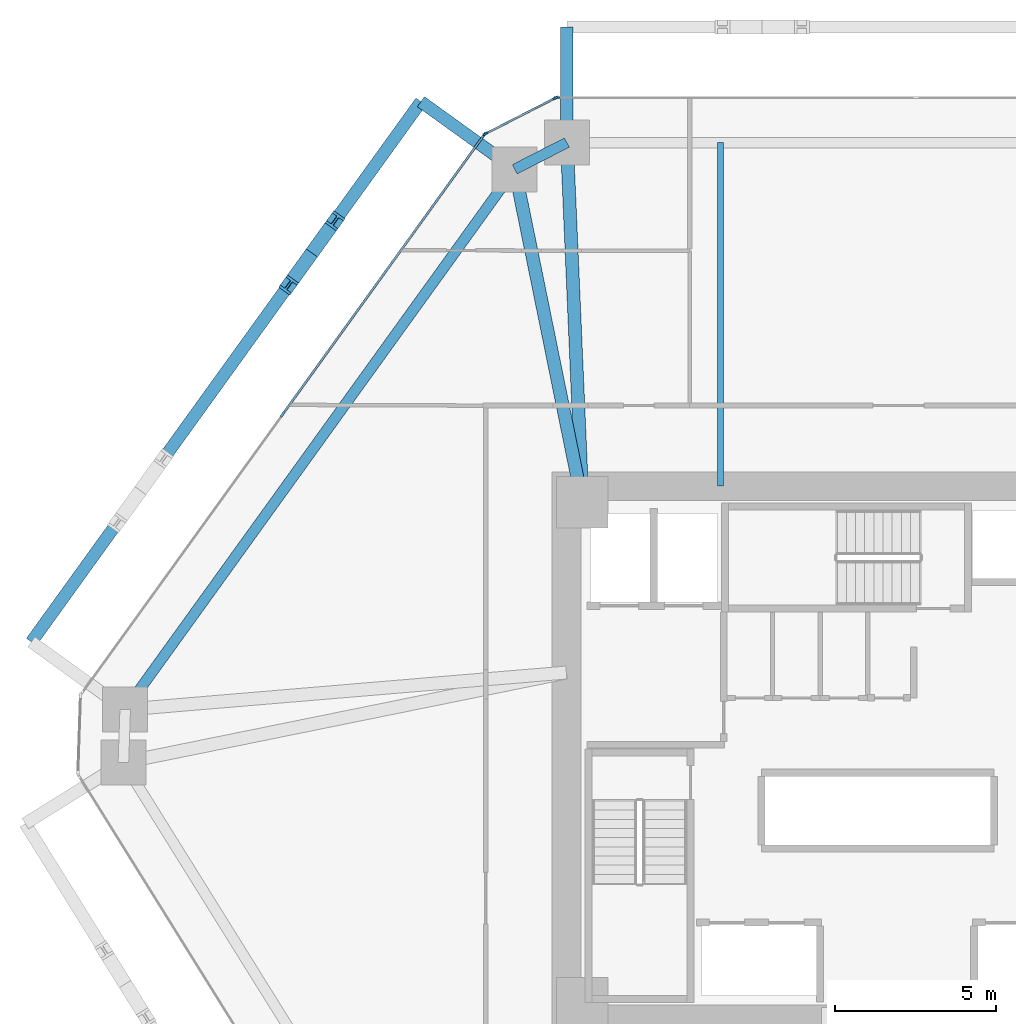
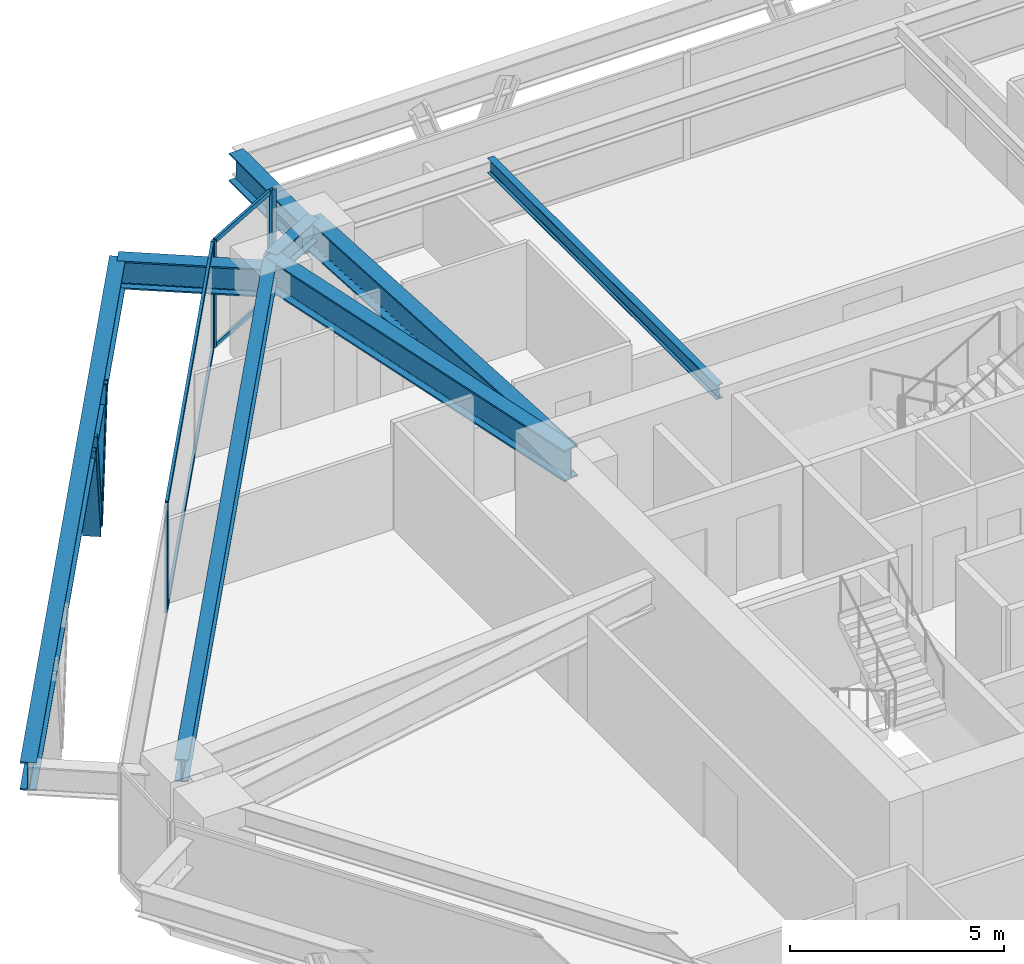
# One storey, part 7 of 15: 11 members, 8 beams, 3 elements without a shape of their own.
"""IFC4 building model written with IfcOpenShell, lengths in metres."""

import ifcopenshell
import ifcopenshell.guid

model = None  # the IFC model being written
_history = None  # IfcOwnerHistory: only IFC2X3 demands one
_inside = {}  # id of a spatial element -> (the spatial element, [elements in it])
_under = {}  # id of a project, library or spatial element -> (it, [spatial elements below it])
_declared = {}  # id of a project -> (the project, [libraries it declares])
_typed = {}  # id of a type object -> (the type object, [elements of that type])
_made_of = {}  # id of a material, layer set ... -> (it, [elements and type objects made of it])


def new_model(schema):
    """Start an empty IFC model of exactly this schema.

    Asked for "IFC4X3", IfcOpenShell would pick the latest addendum, in which some entities
    have other attributes; the version numbers below select the first issue.
    IFC2X3 requires an IfcOwnerHistory on every rooted entity: one is made here for all.
    """
    global model, _history
    if schema == "IFC4X3":
        model = ifcopenshell.file(schema_version=(4, 3, 0, 0))
    else:
        model = ifcopenshell.file(schema=schema)
    _inside.clear()
    _under.clear()
    _declared.clear()
    _typed.clear()
    _made_of.clear()
    _history = None
    if model.schema == "IFC2X3":
        org = make("IfcOrganization", Name="unknown")
        user = make(
            "IfcPersonAndOrganization",
            ThePerson=make("IfcPerson", FamilyName="unknown"),
            TheOrganization=org,
        )
        app = make(
            "IfcApplication",
            ApplicationDeveloper=org,
            Version="unknown",
            ApplicationFullName="unknown",
            ApplicationIdentifier="unknown",
        )
        _history = make(
            "IfcOwnerHistory",
            OwningUser=user,
            OwningApplication=app,
            ChangeAction="ADDED",
            CreationDate=0,
        )
    return model


def make(cls, **values):
    """One entity of the class cls with the attributes given. An attribute that is None is left unset."""
    return model.create_entity(
        cls, **{name: value for name, value in values.items() if value is not None}
    )


def rooted(cls, **values):
    """An entity with a GlobalId (a new one), such as an element, a storey or a relation."""
    return make(cls, GlobalId=ifcopenshell.guid.new(), OwnerHistory=_history, **values)


def si_unit(unit_type, name, prefix=None):
    """IfcSIUnit, for example si_unit("LENGTHUNIT", "METRE", prefix="MILLI")."""
    return make("IfcSIUnit", UnitType=unit_type, Prefix=prefix, Name=name)


def assignment(units):
    """IfcUnitAssignment: the units of a project."""
    return None if units is None else make("IfcUnitAssignment", Units=units)


def point(xyz):
    """IfcCartesianPoint."""
    return None if xyz is None else make("IfcCartesianPoint", Coordinates=xyz)


def direction(xyz):
    """IfcDirection."""
    return None if xyz is None else make("IfcDirection", DirectionRatios=xyz)


def frame(location, z_axis=None, x_axis=None):
    """IfcAxis2Placement3D, a coordinate frame: its origin and axes. An axis left out is left unset."""
    return make(
        "IfcAxis2Placement3D",
        Location=point(location),
        Axis=direction(z_axis),
        RefDirection=direction(x_axis),
    )


def frame_2d(location, x_axis=None):
    """IfcAxis2Placement2D, a coordinate frame in the plane: its origin and x axis."""
    return make(
        "IfcAxis2Placement2D", Location=point(location), RefDirection=direction(x_axis)
    )


def origin():
    """The frame at (0, 0, 0) with its axes left unset."""
    return frame((0.0, 0.0, 0.0))


def origin_2d():
    """The frame at (0, 0) in the plane with its x axis left unset."""
    return frame_2d((0.0, 0.0))


def place(relative_to, where):
    """IfcLocalPlacement: puts the frame where relative to a parent placement (None: the world)."""
    return make(
        "IfcLocalPlacement", PlacementRelTo=relative_to, RelativePlacement=where
    )


def context(
    kind, dimensions, precision=None, world=None, true_north=None, identifier=None
):
    """IfcGeometricRepresentationContext, for example the 3D "Model" context."""
    return make(
        "IfcGeometricRepresentationContext",
        ContextIdentifier=identifier,
        ContextType=kind,
        CoordinateSpaceDimension=dimensions,
        Precision=precision,
        WorldCoordinateSystem=world,
        TrueNorth=true_north,
    )


def subcontext(parent, identifier, kind, view, scale=None):
    """IfcGeometricRepresentationSubContext, for example "Body" below "Model"."""
    return make(
        "IfcGeometricRepresentationSubContext",
        ContextIdentifier=identifier,
        ContextType=kind,
        ParentContext=parent,
        TargetScale=scale,
        TargetView=view,
    )


def project(units=None, contexts=None):
    """IfcProject with its units and contexts."""
    return rooted(
        "IfcProject",
        Name="project",
        RepresentationContexts=contexts,
        UnitsInContext=assignment(units),
    )


def spatial(cls, under=None, at=None, **own):
    """A site, building, storey or space (cls), placed at a placement, below another one or the project."""
    s = rooted(cls, ObjectPlacement=at, **own)
    if under is not None:
        _under.setdefault(under.id(), (under, []))[1].append(s)
    return s


def profile(cls, at=None, kind="AREA", **sizes):
    """A parametric profile (cls). Its sizes go by their IFC names, for example OverallWidth=200.0."""
    return make(cls, ProfileType=kind, Position=at, **sizes)


def rectangle(**sizes):
    """IfcRectangleProfileDef."""
    return profile("IfcRectangleProfileDef", **sizes)


def i_section(**sizes):
    """IfcIShapeProfileDef."""
    return profile("IfcIShapeProfileDef", **sizes)


def extrude(swept, where, along, depth):
    """IfcExtrudedAreaSolid: the profile swept, set in the frame where, extruded along a direction by depth."""
    return make(
        "IfcExtrudedAreaSolid",
        SweptArea=swept,
        Position=where,
        ExtrudedDirection=direction(along),
        Depth=depth,
    )


def shape(context_of_items, identifier, shape_type, items):
    """IfcShapeRepresentation: the items that make up one representation, for example the "Body"."""
    return make(
        "IfcShapeRepresentation",
        ContextOfItems=context_of_items,
        RepresentationIdentifier=identifier,
        RepresentationType=shape_type,
        Items=items,
    )


def source(mapping_origin, context_of_items, identifier, shape_type, items):
    """IfcRepresentationMap: a shape defined once, which mapped items show again and again."""
    return make(
        "IfcRepresentationMap",
        MappingOrigin=mapping_origin,
        MappedRepresentation=shape(context_of_items, identifier, shape_type, items),
    )


def transform(
    local_origin,
    x_axis=None,
    y_axis=None,
    z_axis=None,
    scale=None,
    scale2=None,
    scale3=None,
    uniform=True,
):
    """IfcCartesianTransformationOperator3D, or its non-uniform kind. x_axis, y_axis, z_axis: its Axis1, 2, 3."""
    if uniform:
        return make(
            "IfcCartesianTransformationOperator3D",
            Axis1=direction(x_axis),
            Axis2=direction(y_axis),
            LocalOrigin=point(local_origin),
            Scale=scale,
            Axis3=direction(z_axis),
        )
    return make(
        "IfcCartesianTransformationOperator3DnonUniform",
        Axis1=direction(x_axis),
        Axis2=direction(y_axis),
        LocalOrigin=point(local_origin),
        Scale=scale,
        Axis3=direction(z_axis),
        Scale2=scale2,
        Scale3=scale3,
    )


def mapped(mapping_source, mapping_target):
    """IfcMappedItem: shows the shape of a source again, moved by a transform."""
    return make(
        "IfcMappedItem", MappingSource=mapping_source, MappingTarget=mapping_target
    )


def material(Name=None, Category=None):
    """IfcMaterial."""
    return make("IfcMaterial", Name=Name, Category=Category)


def layer(
    of_material, thickness, ventilated=None, Name=None, Category=None, Priority=None
):
    """IfcMaterialLayer: one layer of a wall or slab, of a material (None: an air gap)."""
    return make(
        "IfcMaterialLayer",
        Material=of_material,
        LayerThickness=thickness,
        IsVentilated=ventilated,
        Name=Name,
        Category=Category,
        Priority=Priority,
    )


def layer_set(layers, Name=None):
    """IfcMaterialLayerSet."""
    return make("IfcMaterialLayerSet", MaterialLayers=layers, LayerSetName=Name)


def material_profile(
    of_material, cross_section, Name=None, Category=None, Priority=None
):
    """IfcMaterialProfile: a cross section and its material."""
    return make(
        "IfcMaterialProfile",
        Name=Name,
        Material=of_material,
        Profile=cross_section,
        Priority=Priority,
        Category=Category,
    )


def profile_set(profiles, Name=None, composite=None):
    """IfcMaterialProfileSet."""
    return make(
        "IfcMaterialProfileSet",
        Name=Name,
        MaterialProfiles=profiles,
        CompositeProfile=composite,
    )


def made_of(thing, what):
    """Note that an element or type object is made of a material, layer set ...; save() writes the relation."""
    if what is not None:
        _made_of.setdefault(what.id(), (what, []))[1].append(thing)
    return thing


def type_object(cls, material=None, **own):
    """A type object (cls), such as IfcWallType, which elements share."""
    return made_of(rooted(cls, **own), material)


def type_shapes(of_type, sources):
    """Give a type object the sources (RepresentationMaps) that its elements show as mapped items."""
    of_type.RepresentationMaps = sources


def element(
    cls,
    number,
    at=None,
    inside=None,
    cuts=None,
    type_object=None,
    material=None,
    context=None,
    identifier="Body",
    shape_type=None,
    held_by="IfcProductDefinitionShape",
    body=None,
    shapes=None,
    **own,
):
    """One element of the class cls, such as IfcWall. Its Tag is "e" and its number.

    at: its placement. inside: the storey or other place that contains it. cuts: it is an
    opening in that element (IfcRelVoidsElement). A single representation is given by context,
    identifier, shape_type and body (its items); several are given by shapes. held_by: the class
    of the entity that holds the representations. save() writes the other relations.
    """
    e = rooted(cls, Tag="e%d" % number, ObjectPlacement=at, **own)
    if body is not None:
        shapes = [shape(context, identifier, shape_type, body)]
    if shapes is not None:
        e.Representation = make(held_by, Representations=shapes)
    if inside is not None:
        _inside.setdefault(inside.id(), (inside, []))[1].append(e)
    if cuts is not None:
        rooted(
            "IfcRelVoidsElement", RelatingBuildingElement=cuts, RelatedOpeningElement=e
        )
    if type_object is not None:
        _typed.setdefault(type_object.id(), (type_object, []))[1].append(e)
    return made_of(e, material)


def aggregate(whole, parts):
    """IfcRelAggregates: a whole, such as a stair, and the parts it consists of."""
    return rooted("IfcRelAggregates", RelatingObject=whole, RelatedObjects=parts)


def save(model, path):
    """Write the relations noted so far, then the file.

    IfcRelAggregates (storeys below a building ...), IfcRelContainedInSpatialStructure (elements
    in a storey), IfcRelDefinesByType, IfcRelAssociatesMaterial and IfcRelDeclares: one each for
    every whole, place, type object, material and project.
    """
    for whole, parts in _under.values():
        aggregate(whole, parts)
    for where, things in _inside.values():
        rooted(
            "IfcRelContainedInSpatialStructure",
            RelatedElements=things,
            RelatingStructure=where,
        )
    for kind, things in _typed.values():
        rooted("IfcRelDefinesByType", RelatedObjects=things, RelatingType=kind)
    for what, things in _made_of.values():
        rooted("IfcRelAssociatesMaterial", RelatedObjects=things, RelatingMaterial=what)
    for by, libraries in _declared.values():
        rooted("IfcRelDeclares", RelatingContext=by, RelatedDefinitions=libraries)
    model.write(path)


model = new_model("IFC4")

# Units and contexts
model_context = context("Model", 3, precision=1e-05, world=origin(), true_north=direction((0.0, 1.0)))
body_context = subcontext(model_context, "Body", "Model", "MODEL_VIEW")
ifc_project = project(units=[si_unit("LENGTHUNIT", "METRE"), si_unit("AREAUNIT", "SQUARE_METRE"), si_unit("VOLUMEUNIT", "CUBIC_METRE"), si_unit("PLANEANGLEUNIT", "RADIAN"), si_unit("MASSUNIT", "GRAM", prefix="KILO")], contexts=[model_context])

# Site, building, storey
site_placement = place(None, origin())
site = spatial("IfcSite", under=ifc_project, at=site_placement, CompositionType="ELEMENT")
building_placement = place(site_placement, origin())
building = spatial("IfcBuilding", under=site, at=building_placement, Name="Durnholm Broadcast Tower", CompositionType="ELEMENT")
storey_placement = place(building_placement, frame((0.0, 0.0, 55.5)))
storey = spatial("IfcBuildingStorey", under=building, at=storey_placement, Name="L13", CompositionType="ELEMENT", Elevation=55.5)

# Beams
ifc_material_1 = material(Name="Steel ASTM A992 Grade 50", Category="steel")
ifc_material_profile_1 = material_profile(ifc_material_1, i_section(OverallWidth=0.3291015625, OverallDepth=0.635009765625, WebThickness=0.017822265625, FlangeThickness=0.031005859375, FilletRadius=0.02783203125, at=origin_2d()), Name="W24X162")
ifc_profile_set_1 = profile_set([ifc_material_profile_1], Name="Steel ASTM A992 Grade 50")
beam_type_1 = type_object("IfcBeamType", Name="STL-SP-W24X162", PredefinedType="SPANDREL", material=ifc_profile_set_1)
shared_shape_1 = source(origin(), body_context, "Body", "SweptSolid", [
    extrude(i_section(OverallWidth=0.3291015625, OverallDepth=0.635009765625, WebThickness=0.017822265625, FlangeThickness=0.031005859375, FilletRadius=0.02783203125, at=origin_2d()), origin(), (0.0, 0.0, 1.0), 20.737060546875),
])
beam_1_placement = place(storey_placement, frame((-24.034912109375, 1.347412109375, 2.7275390625), z_axis=(0.584821933191, 0.811161701795, 0.0), x_axis=(-0.811161701795, 0.584821933191, 0.0)))
element("IfcBeam", 1, at=beam_1_placement, inside=storey, type_object=beam_type_1, Name="L13 perimeter spandrel girder 03", PredefinedType="SPANDREL", context=body_context, shape_type="MappedRepresentation", body=[
    mapped(shared_shape_1, transform((0.0, 0.0, 0.0), x_axis=(1.0, 0.0, 0.0), y_axis=(0.0, 1.0, 0.0), z_axis=(0.0, 0.0, 1.0), scale=1.0)),
])
shared_shape_2 = source(origin(), body_context, "Body", "SweptSolid", [
    extrude(i_section(OverallWidth=0.3291015625, OverallDepth=0.635009765625, WebThickness=0.017822265625, FlangeThickness=0.031005859375, FilletRadius=0.02783203125, at=origin_2d()), origin(), (0.0, 0.0, 1.0), 1.8251953125),
])
type_shapes(beam_type_1, [shared_shape_1, shared_shape_2])
beam_2_placement = place(storey_placement, frame((-11.907470703125, 18.16845703125, 2.7275390625), z_axis=(0.890187609501, 0.455594139438, 0.0), x_axis=(-0.455594139438, 0.890187609501, 0.0)))
element("IfcBeam", 2, at=beam_2_placement, inside=storey, type_object=beam_type_1, Name="L13 perimeter spandrel girder 04", PredefinedType="SPANDREL", context=body_context, shape_type="MappedRepresentation", body=[
    mapped(shared_shape_2, transform((0.0, 0.0, 0.0), x_axis=(1.0, 0.0, 0.0), y_axis=(0.0, 1.0, 0.0), z_axis=(0.0, 0.0, 1.0), scale=1.0)),
])
ifc_material_profile_2 = material_profile(ifc_material_1, i_section(OverallWidth=0.404052734375, OverallDepth=0.885009765625, WebThickness=0.0244140625, FlangeThickness=0.0439453125, FilletRadius=0.03564453125, at=origin_2d()), Name="W33X291")
ifc_profile_set_2 = profile_set([ifc_material_profile_2], Name="Steel ASTM A992 Grade 50")
beam_type_2 = type_object("IfcBeamType", Name="STL-GR-W33X291", PredefinedType="USERDEFINED", material=ifc_profile_set_2)
shared_shape_3 = source(origin(), body_context, "Body", "SweptSolid", [
    extrude(i_section(OverallWidth=0.404052734375, OverallDepth=0.885009765625, WebThickness=0.0244140625, FlangeThickness=0.0439453125, FilletRadius=0.03564453125, at=origin_2d()), origin(), (0.0, 0.0, 1.0), 10.580322265625),
])
beam_3_placement = place(storey_placement, frame((-9.800048828125, 7.800048828125, 2.6025390625), z_axis=(-0.199181458925, 0.979962625012, 0.0), x_axis=(-0.979962625012, -0.199181458925, 0.0)))
element("IfcBeam", 3, at=beam_3_placement, inside=storey, type_object=beam_type_2, Name="L13 radial primary floor girder 04", ObjectType="GIRDER", PredefinedType="USERDEFINED", context=body_context, shape_type="MappedRepresentation", body=[
    mapped(shared_shape_3, transform((0.0, 0.0, 0.0), x_axis=(1.0, 0.0, 0.0), y_axis=(0.0, 1.0, 0.0), z_axis=(0.0, 0.0, 1.0), scale=1.0)),
])
shared_shape_4 = source(origin(), body_context, "Body", "SweptSolid", [
    extrude(i_section(OverallWidth=0.404052734375, OverallDepth=0.885009765625, WebThickness=0.0244140625, FlangeThickness=0.0439453125, FilletRadius=0.03564453125, at=origin_2d()), origin(), (0.0, 0.0, 1.0), 11.21044921875),
])
type_shapes(beam_type_2, [shared_shape_3, shared_shape_4])
beam_4_placement = place(storey_placement, frame((-9.800048828125, 7.800048828125, 2.6025390625), z_axis=(-0.043055404914, 0.999072686098, 0.0), x_axis=(-0.999072686098, -0.043055404914, 0.0)))
element("IfcBeam", 4, at=beam_4_placement, inside=storey, type_object=beam_type_2, Name="L13 radial primary floor girder 05", ObjectType="GIRDER", PredefinedType="USERDEFINED", context=body_context, shape_type="MappedRepresentation", body=[
    mapped(shared_shape_4, transform((0.0, 0.0, 0.0), x_axis=(1.0, 0.0, 0.0), y_axis=(0.0, 1.0, 0.0), z_axis=(0.0, 0.0, 1.0), scale=1.0)),
])
ifc_material_profile_3 = material_profile(ifc_material_1, i_section(OverallWidth=0.180908203125, OverallDepth=0.417236328125, WebThickness=0.010986328125, FlangeThickness=0.018310546875, FilletRadius=0.01904296875, at=origin_2d()), Name="W16X57")
ifc_profile_set_3 = profile_set([ifc_material_profile_3], Name="Steel ASTM A992 Grade 50")
beam_type_3 = type_object("IfcBeamType", Name="STL-BJ-W16X57", PredefinedType="JOIST", material=ifc_profile_set_3)
shared_shape_5 = source(origin(), body_context, "Body", "SweptSolid", [
    extrude(i_section(OverallWidth=0.180908203125, OverallDepth=0.417236328125, WebThickness=0.010986328125, FlangeThickness=0.018310546875, FilletRadius=0.01904296875, at=origin_2d()), origin(), (0.0, 0.0, 1.0), 10.699951171875),
])
type_shapes(beam_type_3, [shared_shape_5])
beam_5_placement = place(storey_placement, frame((-5.5, 8.300048828125, 2.83642578125), z_axis=(0.0, 1.0, 0.0), x_axis=(-1.0, 0.0, 0.0)))
element("IfcBeam", 5, at=beam_5_placement, inside=storey, type_object=beam_type_3, Name="L13 secondary floor joist 3.2", PredefinedType="JOIST", context=body_context, shape_type="MappedRepresentation", body=[
    mapped(shared_shape_5, transform((0.0, 0.0, 0.0), x_axis=(1.0, 0.0, 0.0), y_axis=(0.0, 1.0, 0.0), z_axis=(0.0, 0.0, 1.0), scale=1.0)),
])
ifc_material_profile_4 = material_profile(ifc_material_1, i_section(OverallWidth=0.385009765625, OverallDepth=0.802978515625, WebThickness=0.023681640625, FlangeThickness=0.0419921875, FilletRadius=0.032958984375, at=origin_2d()), Name="W30X261")
ifc_profile_set_4 = profile_set([ifc_material_profile_4], Name="Steel ASTM A992 Grade 50")
beam_type_4 = type_object("IfcBeamType", Name="BM-EXO-TIE", PredefinedType="USERDEFINED", material=ifc_profile_set_4)
shared_shape_6 = source(origin(), body_context, "Body", "SweptSolid", [
    extrude(i_section(OverallWidth=0.385009765625, OverallDepth=0.802978515625, WebThickness=0.023681640625, FlangeThickness=0.0419921875, FilletRadius=0.032958984375, at=origin_2d()), origin(), (0.0, 0.0, 1.0), 3.4560546875),
])
for number, where, z_axis, x_axis, name in (
    (6, (-10.28271484375, 19.14404296875, 2.30859375), (0.0, 1.0, 0.0), (-1.0, 0.0, 0.0), "L13 exoskeleton stand-off tie bracket F4.2"),
    (7, (-12.024169921875, 18.252685546875, 2.30859375), (-0.811157675106, 0.584827518262, 0.0), (-0.584827518262, -0.811157675106, 0.0), "L13 exoskeleton stand-off tie bracket F5.1"),
):
    element("IfcBeam", number, at=place(storey_placement, frame(where, z_axis=z_axis, x_axis=x_axis)), inside=storey, type_object=beam_type_4, Name=name, ObjectType="GIRDER", PredefinedType="USERDEFINED", context=body_context, shape_type="MappedRepresentation", body=[
        mapped(shared_shape_6, transform((0.0, 0.0, 0.0), x_axis=(1.0, 0.0, 0.0), y_axis=(0.0, 1.0, 0.0), z_axis=(0.0, 0.0, 1.0), scale=1.0)),
    ])
shared_shape_7 = source(origin(), body_context, "Body", "SweptSolid", [
    extrude(i_section(OverallWidth=0.385009765625, OverallDepth=0.802978515625, WebThickness=0.023681640625, FlangeThickness=0.0419921875, FilletRadius=0.032958984375, at=origin_2d()), origin(), (0.0, 0.0, 1.0), 20.737060546875),
])
type_shapes(beam_type_4, [shared_shape_6, shared_shape_7])
beam_6_placement = place(storey_placement, frame((-14.82763671875, 20.27392578125, 2.30859375), z_axis=(-0.5848163482, -0.811165728368, 0.0), x_axis=(0.811165728368, -0.5848163482, 0.0)))
element("IfcBeam", 8, at=beam_6_placement, inside=storey, type_object=beam_type_4, Name="L13 exoskeleton collector spandrel F5", PredefinedType="SPANDREL", context=body_context, shape_type="MappedRepresentation", body=[
    mapped(shared_shape_7, transform((0.0, 0.0, 0.0), x_axis=(1.0, 0.0, 0.0), y_axis=(0.0, 1.0, 0.0), z_axis=(0.0, 0.0, 1.0), scale=1.0)),
])

# Members
ifc_material_2 = material(Name="Steel ASTM A913 Grade 65", Category="steel")
ifc_material_profile_5 = material_profile(ifc_material_2, i_section(OverallWidth=0.43212890625, OverallDepth=0.497802734375, WebThickness=0.0556640625, FlangeThickness=0.0888671875, FilletRadius=0.030517578125, at=origin_2d()), Name="W14X500")
ifc_profile_set_5 = profile_set([ifc_material_profile_5], Name="Steel ASTM A913 Grade 65")
member_type_1 = type_object("IfcMemberType", Name="STL-DG-W14X500", PredefinedType="BRACE", material=ifc_profile_set_5)
shared_shape_8 = source(origin(), body_context, "Body", "SweptSolid", [
    extrude(i_section(OverallWidth=0.43212890625, OverallDepth=0.497802734375, WebThickness=0.0556640625, FlangeThickness=0.0888671875, FilletRadius=0.030517578125, at=origin_2d()), origin(), (0.0, 0.0, 1.0), 3.523193359375),
])
type_shapes(member_type_1, [shared_shape_8])
for number, where, z_axis, x_axis, name in (
    (9, (-18.223388671875, 15.56396484375, -0.991455078125), (0.204839138341, 0.284044529113, 0.93667477434), (-0.81109123444, 0.58491966065, 0.0), "L13 stand-off diagrid brace F5.D1.1"),
    (10, (-18.223388671875, 15.56396484375, -0.991455078125), (-0.20477274847, -0.284048560399, 0.936688068046), (0.811185111535, -0.584789461963, 0.0), "L13 stand-off diagrid brace F5.D1.2"),
):
    element("IfcMember", number, at=place(storey_placement, frame(where, z_axis=z_axis, x_axis=x_axis)), inside=storey, type_object=member_type_1, Name=name, PredefinedType="BRACE", context=body_context, shape_type="MappedRepresentation", body=[
        mapped(shared_shape_8, transform((0.0, 0.0, 0.0), x_axis=(1.0, 0.0, 0.0), y_axis=(0.0, 1.0, 0.0), z_axis=(0.0, 0.0, 1.0), scale=1.0)),
    ])

# Curtain wall, members
ifc_material_3 = material(Name="Aluminium and Solar Control IGU", Category="aluminium")
ifc_layer_1 = layer(ifc_material_3, 0.1650390625)
ifc_layer_set_1 = layer_set([ifc_layer_1], Name="Aluminium and Solar Control IGU")
curtain_wall_type_1 = type_object("IfcCurtainWallType", Name="CW-SYS-5", PredefinedType="NOTDEFINED", material=ifc_layer_set_1)
curtain_wall_1_placement = place(storey_placement, origin())
curtain_wall_1 = element("IfcCurtainWall", 11, at=curtain_wall_1_placement, inside=storey, type_object=curtain_wall_type_1, Name="L13 curtain wall CW-CORNER CW-L13-CRN-03", PredefinedType="NOTDEFINED")
ifc_material_4 = material(Name="Aluminium 6063-T6", Category="aluminium")
ifc_material_profile_6 = material_profile(ifc_material_4, rectangle(XDim=0.06494140625, YDim=0.1650390625, at=origin_2d()), Name="CWM65X165")
ifc_profile_set_6 = profile_set([ifc_material_profile_6], Name="Aluminium 6063-T6")
member_type_2 = type_object("IfcMemberType", Name="CW-SYS-5-MUL", PredefinedType="MULLION", material=ifc_profile_set_6)
shared_shape_9 = source(origin(), body_context, "Body", "SweptSolid", [
    extrude(rectangle(XDim=0.06494140625, YDim=0.1650390625, at=origin_2d()), origin(), (0.0, 0.0, 1.0), 3.06005859375),
])
type_shapes(member_type_2, [shared_shape_9])
member_1_placement = place(storey_placement, frame((-12.816650390625, 19.27587890625, 0.0), z_axis=(0.0, 0.0, 1.0), x_axis=(-0.455593758406, 0.890187804512, 0.0)))
member_1 = element("IfcMember", 12, at=member_1_placement, type_object=member_type_2, Name="CW-CORNER mullion 1", PredefinedType="MULLION", context=body_context, shape_type="MappedRepresentation", body=[
    mapped(shared_shape_9, transform((0.0, 0.0, 0.0), x_axis=(1.0, 0.0, 0.0), y_axis=(0.0, 1.0, 0.0), z_axis=(0.0, 0.0, 1.0), scale=1.0)),
])
member_2_placement = place(storey_placement, frame((-10.649169921875, 20.38525390625, 0.0), z_axis=(0.0, 0.0, 1.0), x_axis=(-0.455593758406, 0.890187804512, 0.0)))
member_2 = element("IfcMember", 13, at=member_2_placement, type_object=member_type_2, Name="CW-CORNER mullion 2", PredefinedType="MULLION", context=body_context, shape_type="MappedRepresentation", body=[
    mapped(shared_shape_9, transform((0.0, 0.0, 0.0), x_axis=(1.0, 0.0, 0.0), y_axis=(0.0, 1.0, 0.0), z_axis=(0.0, 0.0, 1.0), scale=1.0)),
])
ifc_material_profile_7 = material_profile(ifc_material_4, rectangle(XDim=0.06494140625, YDim=0.1298828125, at=origin_2d()), Name="CWT65X130")
ifc_profile_set_7 = profile_set([ifc_material_profile_7], Name="Aluminium 6063-T6")
member_type_3 = type_object("IfcMemberType", Name="CW-SYS-5-TRN", PredefinedType="USERDEFINED", material=ifc_profile_set_7)
shared_shape_10 = source(origin(), body_context, "Body", "SweptSolid", [
    extrude(rectangle(XDim=0.06494140625, YDim=0.1298828125, at=origin_2d()), origin(), (0.0, 0.0, 1.0), 2.3701171875),
])
type_shapes(member_type_3, [shared_shape_10])
member_3_placement = place(storey_placement, frame((-12.787841796875, 19.29052734375, 0.032470703125), z_axis=(0.890185016934, 0.455599205033, 0.0), x_axis=(-0.455599205033, 0.890185016934, 0.0)))
member_3 = element("IfcMember", 14, at=member_3_placement, type_object=member_type_3, Name="CW-CORNER transom 1.1", ObjectType="TRANSOM", PredefinedType="USERDEFINED", context=body_context, shape_type="MappedRepresentation", body=[
    mapped(shared_shape_10, transform((0.0, 0.0, 0.0), x_axis=(1.0, 0.0, 0.0), y_axis=(0.0, 1.0, 0.0), z_axis=(0.0, 0.0, 1.0), scale=1.0)),
])
member_4_placement = place(storey_placement, frame((-12.787841796875, 19.29052734375, 3.027587890625), z_axis=(0.890185016934, 0.455599205033, 0.0), x_axis=(-0.455599205033, 0.890185016934, 0.0)))
member_4 = element("IfcMember", 15, at=member_4_placement, type_object=member_type_3, Name="CW-CORNER transom 1.2", ObjectType="TRANSOM", PredefinedType="USERDEFINED", context=body_context, shape_type="MappedRepresentation", body=[
    mapped(shared_shape_10, transform((0.0, 0.0, 0.0), x_axis=(1.0, 0.0, 0.0), y_axis=(0.0, 1.0, 0.0), z_axis=(0.0, 0.0, 1.0), scale=1.0)),
])
aggregate(curtain_wall_1, [member_1, member_2, member_3, member_4])

ifc_layer_2 = layer(ifc_material_3, 0.18994140625)
ifc_layer_set_2 = layer_set([ifc_layer_2], Name="Aluminium and Solar Control IGU")
curtain_wall_type_2 = type_object("IfcCurtainWallType", Name="CW-SYS-3", PredefinedType="NOTDEFINED", material=ifc_layer_set_2)
curtain_wall_2_placement = place(storey_placement, origin())
curtain_wall_2 = element("IfcCurtainWall", 16, at=curtain_wall_2_placement, inside=storey, type_object=curtain_wall_type_2, Name="L13 curtain wall CW-Z12-VIS CW-L13-F02", PredefinedType="NOTDEFINED")
ifc_material_profile_8 = material_profile(ifc_material_4, rectangle(XDim=0.070068359375, YDim=0.18994140625, at=origin_2d()), Name="CWM70X190")
ifc_profile_set_8 = profile_set([ifc_material_profile_8], Name="Aluminium 6063-T6")
member_type_4 = type_object("IfcMemberType", Name="CW-SYS-3-MUL", PredefinedType="MULLION", material=ifc_profile_set_8)
shared_shape_11 = source(origin(), body_context, "Body", "SweptSolid", [
    extrude(rectangle(XDim=0.070068359375, YDim=0.18994140625, at=origin_2d()), origin(), (0.0, 0.0, 1.0), 3.06005859375),
])
type_shapes(member_type_4, [shared_shape_11])
member_5_placement = place(storey_placement, frame((-19.1328125, 10.540771484375, 0.0), z_axis=(0.0, 0.0, 1.0), x_axis=(-0.81116057493, 0.584823496176, 0.0)))
member_5 = element("IfcMember", 17, at=member_5_placement, type_object=member_type_4, Name="CW-Z12-VIS mullion 2", PredefinedType="MULLION", context=body_context, shape_type="MappedRepresentation", body=[
    mapped(shared_shape_11, transform((0.0, 0.0, 0.0), x_axis=(1.0, 0.0, 0.0), y_axis=(0.0, 1.0, 0.0), z_axis=(0.0, 0.0, 1.0), scale=1.0)),
])
member_6_placement = place(storey_placement, frame((-12.8662109375, 19.232666015625, 0.0), z_axis=(0.0, 0.0, 1.0), x_axis=(-0.81116057493, 0.584823496176, 0.0)))
member_6 = element("IfcMember", 18, at=member_6_placement, type_object=member_type_4, Name="CW-Z12-VIS mullion 3", PredefinedType="MULLION", context=body_context, shape_type="MappedRepresentation", body=[
    mapped(shared_shape_11, transform((0.0, 0.0, 0.0), x_axis=(1.0, 0.0, 0.0), y_axis=(0.0, 1.0, 0.0), z_axis=(0.0, 0.0, 1.0), scale=1.0)),
])

# Curtain wall, member
curtain_wall_3_placement = place(storey_placement, origin())
curtain_wall_3 = element("IfcCurtainWall", 19, at=curtain_wall_3_placement, inside=storey, type_object=curtain_wall_type_2, Name="L13 curtain wall CW-Z12-VIS CW-L13-F04", PredefinedType="NOTDEFINED")
member_7_placement = place(storey_placement, frame((-10.585205078125, 20.39990234375, 0.0), z_axis=(0.0, 0.0, 1.0), x_axis=(0.0, 1.0, 0.0)))
member_7 = element("IfcMember", 20, at=member_7_placement, type_object=member_type_4, Name="CW-Z12-VIS mullion 1", PredefinedType="MULLION", context=body_context, shape_type="MappedRepresentation", body=[
    mapped(shared_shape_11, transform((0.0, 0.0, 0.0), x_axis=(1.0, 0.0, 0.0), y_axis=(0.0, 1.0, 0.0), z_axis=(0.0, 0.0, 1.0), scale=1.0)),
])
aggregate(curtain_wall_3, [member_7])

# Member
ifc_material_profile_9 = material_profile(ifc_material_4, rectangle(XDim=0.070068359375, YDim=0.14990234375, at=origin_2d()), Name="CWT70X150")
ifc_profile_set_9 = profile_set([ifc_material_profile_9], Name="Aluminium 6063-T6")
member_type_5 = type_object("IfcMemberType", Name="CW-SYS-3-TRN", PredefinedType="USERDEFINED", material=ifc_profile_set_9)
shared_shape_12 = source(origin(), body_context, "Body", "SweptSolid", [
    extrude(rectangle(XDim=0.070068359375, YDim=0.14990234375, at=origin_2d()), origin(), (0.0, 0.0, 1.0), 10.645263671875),
])
type_shapes(member_type_5, [shared_shape_12])
member_8_placement = place(storey_placement, frame((-19.1123046875, 10.569091796875, 0.034912109375), z_axis=(0.584822983179, 0.811160944786, 0.0), x_axis=(-0.811160944786, 0.584822983179, 0.0)))
member_8 = element("IfcMember", 21, at=member_8_placement, type_object=member_type_5, Name="CW-Z12-VIS transom 2.1", ObjectType="TRANSOM", PredefinedType="USERDEFINED", context=body_context, shape_type="MappedRepresentation", body=[
    mapped(shared_shape_12, transform((0.0, 0.0, 0.0), x_axis=(1.0, 0.0, 0.0), y_axis=(0.0, 1.0, 0.0), z_axis=(0.0, 0.0, 1.0), scale=1.0)),
])

member_9_placement = place(storey_placement, frame((-19.1123046875, 10.569091796875, 3.02490234375), z_axis=(0.584822983179, 0.811160944786, 0.0), x_axis=(-0.811160944786, 0.584822983179, 0.0)))
member_9 = element("IfcMember", 22, at=member_9_placement, type_object=member_type_5, Name="CW-Z12-VIS transom 2.2", ObjectType="TRANSOM", PredefinedType="USERDEFINED", context=body_context, shape_type="MappedRepresentation", body=[
    mapped(shared_shape_12, transform((0.0, 0.0, 0.0), x_axis=(1.0, 0.0, 0.0), y_axis=(0.0, 1.0, 0.0), z_axis=(0.0, 0.0, 1.0), scale=1.0)),
])

aggregate(curtain_wall_2, [member_5, member_6, member_8, member_9])

save(model, "model.ifc")
